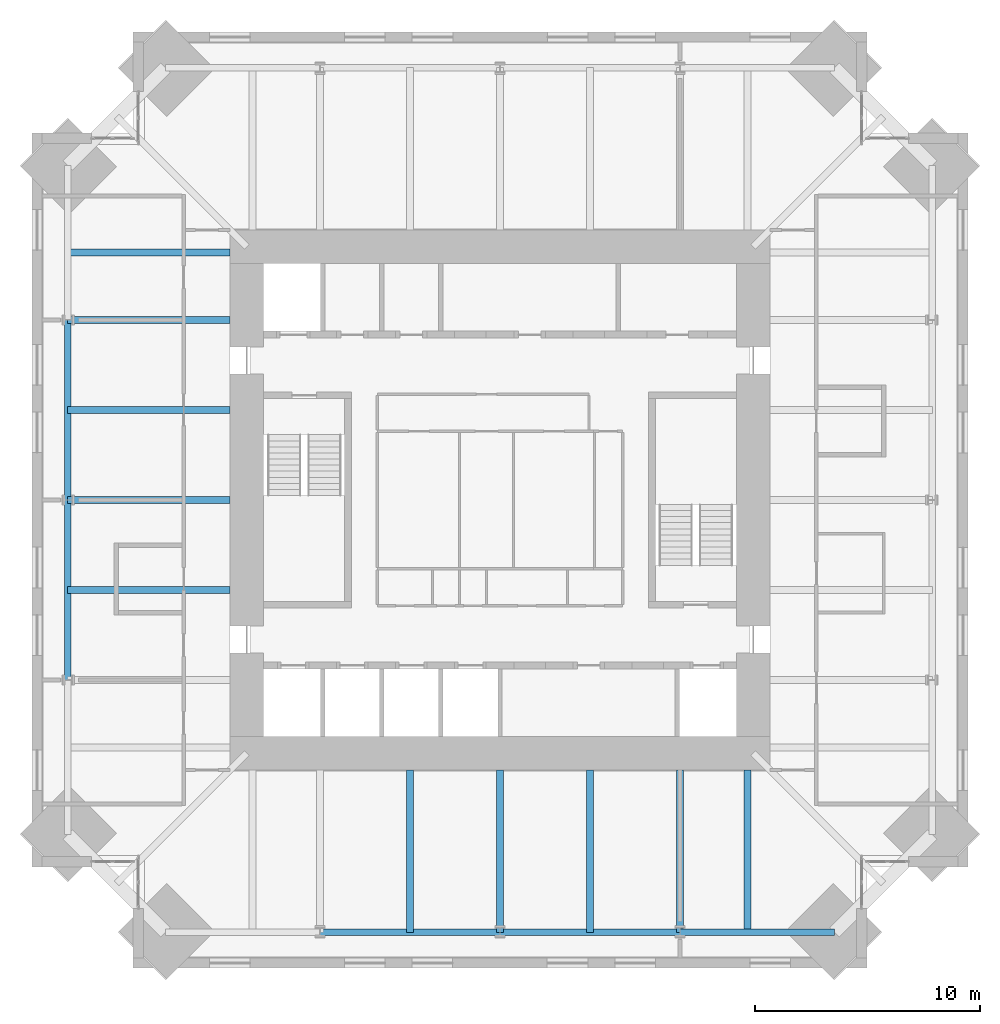
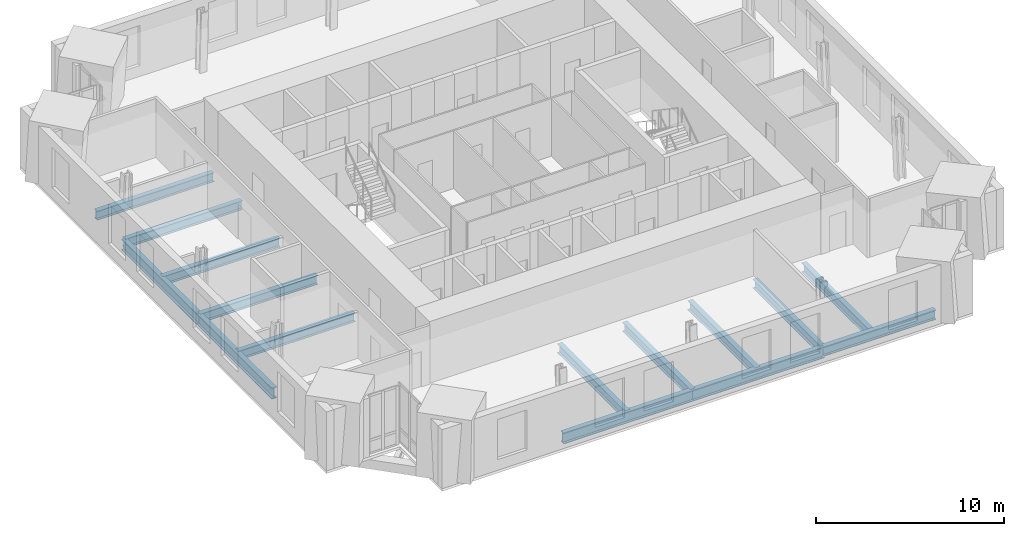
# One storey, part 3 of 15: 15 beams.
"""IFC4 building model written with IfcOpenShell, lengths in metres."""

from ifc_helpers import new_model, si_unit, direction, frame, origin, origin_2d, place, context, subcontext, project, spatial, i_section, extrude, material, material_profile, profile_set, type_object, element, save


model = new_model("IFC4")

# Units and contexts
model_context = context("Model", 3, precision=1e-05, world=origin(), true_north=direction((0.0, 1.0)))
body_context = subcontext(model_context, "Body", "Model", "MODEL_VIEW")
ifc_project = project(units=[si_unit("LENGTHUNIT", "METRE"), si_unit("AREAUNIT", "SQUARE_METRE"), si_unit("VOLUMEUNIT", "CUBIC_METRE"), si_unit("PLANEANGLEUNIT", "RADIAN"), si_unit("MASSUNIT", "GRAM", prefix="KILO")], contexts=[model_context])

# Site, building, storey
site_placement = place(None, origin())
site = spatial("IfcSite", under=ifc_project, at=site_placement, CompositionType="ELEMENT")
building_placement = place(site_placement, origin())
building = spatial("IfcBuilding", under=site, at=building_placement, Name="Peilmerk Tower", CompositionType="ELEMENT")
storey_placement = place(building_placement, frame((0.0, 0.0, 289.800048828125)))
storey = spatial("IfcBuildingStorey", under=building, at=storey_placement, Name="L65", CompositionType="ELEMENT", Elevation=289.800048828125)

# Beams
ifc_material = material(Name="Steel S355", Category="steel")
ifc_material_profile_1 = material_profile(ifc_material, i_section(OverallWidth=0.300048828125, OverallDepth=0.590087890625, WebThickness=0.012939453125, FlangeThickness=0.02490234375, at=origin_2d()), Name="HEA 600")
ifc_profile_set_1 = profile_set([ifc_material_profile_1], Name="Steel S355")
beam_type_1 = type_object("IfcBeamType", Name="B27 HEA 600 floor beam", PredefinedType="BEAM", material=ifc_profile_set_1)
for number, where, z_axis, x_axis, name in (
    (1, (-4.0, -12.0, -0.465087890625), (0.0, -1.0, 0.0), (1.0, 0.0, 0.0), "Floor beam L65"),
    (2, (0.0, -12.0, -0.465087890625), (0.0, -1.0, 0.0), (1.0, 0.0, 0.0), "Floor beam L65"),
    (3, (4.0, -12.0, -0.465087890625), (0.0, -1.0, 0.0), (1.0, 0.0, 0.0), "Floor beam L65"),
    (4, (8.0, -12.0, -0.465087890625), (0.0, -1.0, 0.0), (1.0, 0.0, 0.0), "Floor beam L65"),
    (5, (11.0, -12.0, -0.465087890625), (0.0, -1.0, 0.0), (1.0, 0.0, 0.0), "Floor beam L65"),
    (6, (-12.0, 11.0, -0.465087890625), (-1.0, 0.0, 0.0), (0.0, -1.0, 0.0), "Floor beam L65"),
    (7, (-12.0, 8.0, -0.465087890625), (-1.0, 0.0, 0.0), (0.0, -1.0, 0.0), "Floor beam L65"),
    (8, (-12.0, 4.0, -0.465087890625), (-1.0, 0.0, 0.0), (0.0, -1.0, 0.0), "Floor beam L65"),
    (9, (-12.0, 0.0, -0.465087890625), (-1.0, 0.0, 0.0), (0.0, -1.0, 0.0), "Floor beam L65"),
    (10, (-12.0, -4.0, -0.465087890625), (-1.0, 0.0, 0.0), (0.0, -1.0, 0.0), "Floor beam L65"),
):
    element("IfcBeam", number, at=place(storey_placement, frame(where, z_axis=z_axis, x_axis=x_axis)), inside=storey, type_object=beam_type_1, Name=name, PredefinedType="BEAM", context=body_context, shape_type="SweptSolid", body=[
        extrude(i_section(OverallWidth=0.300048828125, OverallDepth=0.590087890625, WebThickness=0.012939453125, FlangeThickness=0.02490234375, at=origin_2d()), origin(), (0.0, 0.0, 1.0), 7.211181640625),
    ])
ifc_material_profile_2 = material_profile(ifc_material, i_section(OverallWidth=0.303955078125, OverallDepth=0.716064453125, WebThickness=0.02099609375, FlangeThickness=0.0400390625, at=origin_2d()), Name="HEM 700")
ifc_profile_set_2 = profile_set([ifc_material_profile_2], Name="Steel S355")
beam_type_2 = type_object("IfcBeamType", Name="B30 HEM 700 edge beam", PredefinedType="SPANDREL", material=ifc_profile_set_2)
for number, where, z_axis, x_axis, name in (
    (11, (-8.0, -19.211181640625, -0.528076171875), (1.0, 0.0, 0.0), (0.0, 1.0, 0.0), "Edge beam L65"),
    (12, (0.0, -19.211181640625, -0.528076171875), (1.0, 0.0, 0.0), (0.0, 1.0, 0.0), "Edge beam L65"),
    (13, (-19.211181640625, 8.0, -0.528076171875), (0.0, -1.0, 0.0), (1.0, 0.0, 0.0), "Edge beam L65"),
    (14, (-19.211181640625, 0.0, -0.528076171875), (0.0, -1.0, 0.0), (1.0, 0.0, 0.0), "Edge beam L65"),
):
    element("IfcBeam", number, at=place(storey_placement, frame(where, z_axis=z_axis, x_axis=x_axis)), inside=storey, type_object=beam_type_2, Name=name, PredefinedType="SPANDREL", context=body_context, shape_type="SweptSolid", body=[
        extrude(i_section(OverallWidth=0.303955078125, OverallDepth=0.716064453125, WebThickness=0.02099609375, FlangeThickness=0.0400390625, at=origin_2d()), origin(), (0.0, 0.0, 1.0), 8.0),
    ])
ifc_material_profile_3 = material_profile(ifc_material, i_section(OverallWidth=0.304931640625, OverallDepth=0.6201171875, WebThickness=0.02099609375, FlangeThickness=0.0400390625, at=origin_2d()), Name="HEM 600")
ifc_profile_set_3 = profile_set([ifc_material_profile_3], Name="Steel S355")
beam_type_3 = type_object("IfcBeamType", Name="B31 HEM 600 edge beam", PredefinedType="SPANDREL", material=ifc_profile_set_3)
beam_placement = place(storey_placement, frame((8.0, -19.211181640625, -0.47998046875), z_axis=(1.0, 0.0, 0.0), x_axis=(0.0, 1.0, 0.0)))
element("IfcBeam", 15, at=beam_placement, inside=storey, type_object=beam_type_3, Name="Edge beam L65", PredefinedType="SPANDREL", context=body_context, shape_type="SweptSolid", body=[
    extrude(i_section(OverallWidth=0.304931640625, OverallDepth=0.6201171875, WebThickness=0.02099609375, FlangeThickness=0.0400390625, at=origin_2d()), origin(), (0.0, 0.0, 1.0), 6.861328125),
])

save(model, "model.ifc")
